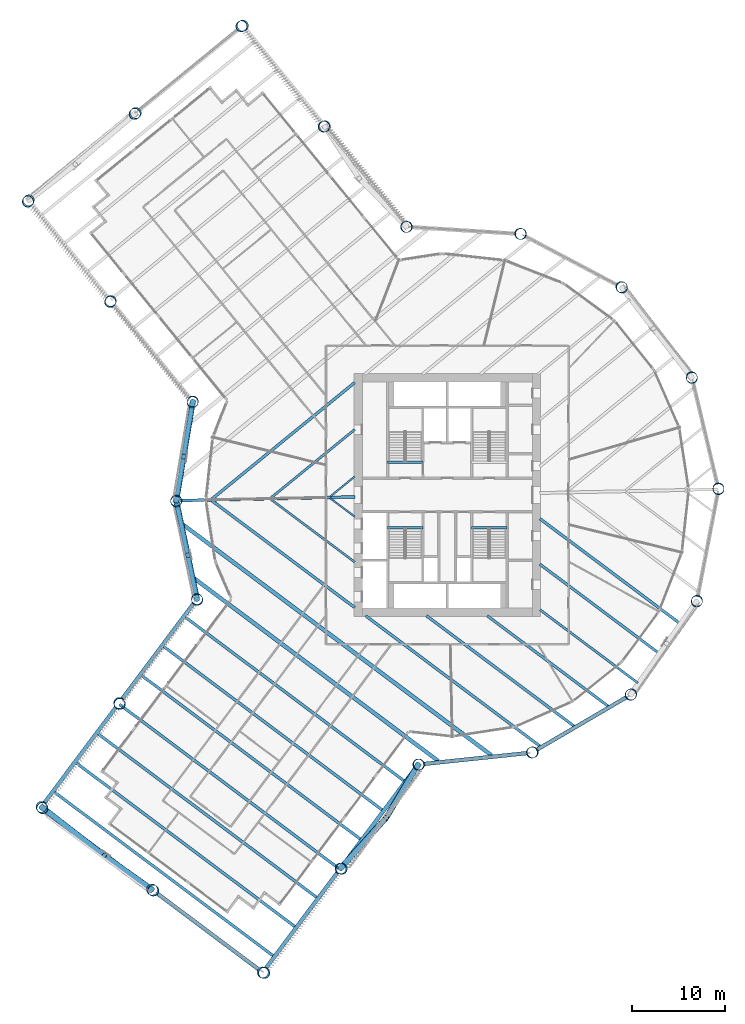
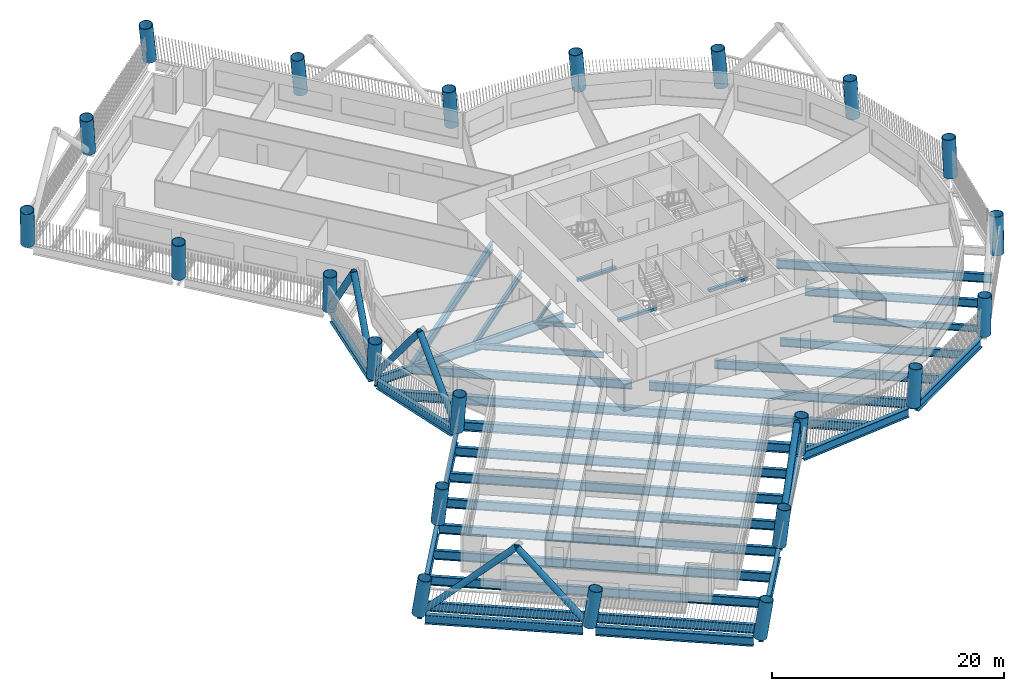
# One storey, part 1 of 22: 35 beams, 22 columns, 8 members.
"""IFC4 building model written with IfcOpenShell, lengths in metres."""

from ifc_helpers import new_model, si_unit, direction, frame, origin, origin_2d, place, context, subcontext, project, spatial, rectangle, hollow_circle, i_section, extrude, material, material_profile, profile_set, type_object, element, save


model = new_model("IFC4")

# Units and contexts
model_context = context("Model", 3, precision=1e-05, world=origin(), true_north=direction((0.0, 1.0)))
body_context = subcontext(model_context, "Body", "Model", "MODEL_VIEW")
ifc_project = project(units=[si_unit("LENGTHUNIT", "METRE"), si_unit("AREAUNIT", "SQUARE_METRE"), si_unit("VOLUMEUNIT", "CUBIC_METRE"), si_unit("PLANEANGLEUNIT", "RADIAN"), si_unit("MASSUNIT", "GRAM", prefix="KILO")], contexts=[model_context])

# Site, building, storey
site_placement = place(None, origin())
site = spatial("IfcSite", under=ifc_project, at=site_placement, CompositionType="ELEMENT")
building_placement = place(site_placement, origin())
building = spatial("IfcBuilding", under=site, at=building_placement, Name="Tarsis Ring Headquarters", CompositionType="ELEMENT")
storey_placement = place(building_placement, frame((0.0, 0.0, 40.0)))
storey = spatial("IfcBuildingStorey", under=building, at=storey_placement, Name="L07", CompositionType="ELEMENT", Elevation=40.0)

# Columns
ifc_material_1 = material(Name="Structural steel S460", Category="steel")
ifc_material_profile_1 = material_profile(ifc_material_1, hollow_circle(Radius=0.609619140625, WallThickness=0.050048828125, at=origin_2d()), Name="CHS 1219x50")
ifc_profile_set_1 = profile_set([ifc_material_profile_1], Name="Structural steel S460")
column_type = type_object("IfcColumnType", Name="XC Exo column CHS 1219x50", PredefinedType="COLUMN", material=ifc_profile_set_1)
for number, where, z_axis, x_axis, name in (
    (1, (-29.042236328125, -0.609375, 0.011962890625), (0.002066203522, -0.077701774889, 0.996974505683), (0.999646634556, 0.026582061999, 0.0), "Exo column XC1 F1"),
    (2, (-26.823486328125, -11.14990234375, 0.011962890625), (0.030241519732, -0.071690559199, 0.996968361688), (0.921377669299, 0.38866848408, 0.0), "Exo column XC1 AK"),
):
    element("IfcColumn", number, at=place(storey_placement, frame(where, z_axis=z_axis, x_axis=x_axis)), inside=storey, type_object=column_type, Name=name, PredefinedType="COLUMN", context=body_context, shape_type="SweptSolid", body=[
        extrude(hollow_circle(Radius=0.609619140625, WallThickness=0.050048828125, at=origin_2d()), origin(), (0.0, 0.0, 1.0), 3.899169921875),
    ])
column_1_placement = place(storey_placement, frame((-35.150390625, -22.28271484375, 0.016845703125), z_axis=(0.059933836071, -0.093494284424, 0.993814245256), x_axis=(0.841872583111, 0.539676341714, 0.0)))
element("IfcColumn", 3, at=column_1_placement, inside=storey, type_object=column_type, Name="Exo column XC1 AI1", PredefinedType="COLUMN", context=body_context, shape_type="SweptSolid", body=[
    extrude(hollow_circle(Radius=0.609619140625, WallThickness=0.050048828125, at=origin_2d()), origin(), (0.0, 0.0, 1.0), 3.906494140625),
])
column_2_placement = place(storey_placement, frame((-43.477294921875, -33.41552734375, 0.021728515625), z_axis=(0.089327904942, -0.115054839908, 0.989334579004), x_axis=(0.789881559779, 0.613259424323, 0.0)))
element("IfcColumn", 4, at=column_2_placement, inside=storey, type_object=column_type, Name="Exo column XC1 AT1", PredefinedType="COLUMN", context=body_context, shape_type="SweptSolid", body=[
    extrude(hollow_circle(Radius=0.609619140625, WallThickness=0.050048828125, at=origin_2d()), origin(), (0.0, 0.0, 1.0), 3.919189453125),
])
column_3_placement = place(storey_placement, frame((-31.6259765625, -42.2802734375, 0.02099609375), z_axis=(0.11281585751, -0.083521132079, 0.99009939036), x_axis=(0.595015145227, 0.80371448721, 0.0)))
element("IfcColumn", 5, at=column_3_placement, inside=storey, type_object=column_type, Name="Exo column XC1 AT2", PredefinedType="COLUMN", context=body_context, shape_type="SweptSolid", body=[
    extrude(hollow_circle(Radius=0.609619140625, WallThickness=0.050048828125, at=origin_2d()), origin(), (0.0, 0.0, 1.0), 3.9169921875),
])
column_4_placement = place(storey_placement, frame((-19.774658203125, -51.145263671875, 0.021728515625), z_axis=(0.136110160849, -0.051827759188, 0.989337105082), x_axis=(0.355853036455, 0.934541928672, 0.0)))
element("IfcColumn", 6, at=column_4_placement, inside=storey, type_object=column_type, Name="Exo column XC1 AT3", PredefinedType="COLUMN", context=body_context, shape_type="SweptSolid", body=[
    extrude(hollow_circle(Radius=0.609619140625, WallThickness=0.050048828125, at=origin_2d()), origin(), (0.0, 0.0, 1.0), 3.919189453125),
])
column_5_placement = place(storey_placement, frame((-11.447998046875, -40.0126953125, 0.016845703125), z_axis=(0.106930916224, -0.029998153003, 0.993813810516), x_axis=(0.270109965053, 0.962829479596, 0.0)))
element("IfcColumn", 7, at=column_5_placement, inside=storey, type_object=column_type, Name="Exo column XC1 AO1", PredefinedType="COLUMN", context=body_context, shape_type="SweptSolid", body=[
    extrude(hollow_circle(Radius=0.609619140625, WallThickness=0.050048828125, at=origin_2d()), origin(), (0.0, 0.0, 1.0), 3.906494140625),
])
for number, where, z_axis, x_axis, name in (
    (8, (-3.12109375, -28.88037109375, 0.011962890625), (0.077326073632, -0.007951750082, 0.996974146108), (0.102294556562, 0.99475415239, 0.0), "Exo column XC1 AJ"),
    (9, (9.060546875, -27.599365234375, 0.011962890625), (0.073756951523, 0.024669133192, 0.996971085824), (-0.317193674158, 0.948360782126, 0.0), "Exo column XC1 R1"),
    (10, (19.631103515625, -21.4111328125, 0.011962890625), (0.057039618132, 0.052844607797, 0.996972381458), (-0.67961674612, 0.733567364591, 0.0), "Exo column XC1 R2"),
    (11, (26.71142578125, -11.415771484375, 0.011962890625), (0.030178964974, 0.071690694804, 0.996970247476), (-0.92166567626, 0.387985027037, 0.0), "Exo column XC1 R3"),
    (12, (29.042236328125, 0.609375, 0.011962890625), (-0.002066203522, 0.077701774889, 0.996974505683), (-0.999646634556, -0.026582061999, 0.0), "Exo column XC1 R4"),
    (13, (26.208984375, 12.52587890625, 0.011962890625), (-0.033873120044, 0.070000273953, 0.996971701396), (-0.900149068088, -0.43558197302, 0.0), "Exo column XC1 R5"),
    (14, (18.7158203125, 22.215576171875, 0.011962890625), (-0.059669562714, 0.049776812547, 0.996976334834), (-0.640580590762, -0.767890947165, 0.0), "Exo column XC1 R6"),
    (15, (7.89501953125, 27.955078125, 0.011962890625), (-0.074946660571, 0.020724598704, 0.996972160633), (-0.266522396144, -0.963828725632, 0.0), "Exo column XC1 R7"),
    (16, (-4.32958984375, 28.72412109375, 0.011962890625), (-0.076825019528, -0.012021518948, 0.996972115687), (0.154597941149, -0.987977467654, 0.0), "Exo column XC1 BJ"),
):
    element("IfcColumn", number, at=place(storey_placement, frame(where, z_axis=z_axis, x_axis=x_axis)), inside=storey, type_object=column_type, Name=name, PredefinedType="COLUMN", context=body_context, shape_type="SweptSolid", body=[
        extrude(hollow_circle(Radius=0.609619140625, WallThickness=0.050048828125, at=origin_2d()), origin(), (0.0, 0.0, 1.0), 3.899169921875),
    ])
column_6_placement = place(storey_placement, frame((-13.1171875, 39.4970703125, 0.016845703125), z_axis=(-0.105181367201, -0.035560426582, 0.993817053614), x_axis=(0.320277602361, -0.947323734225, 0.0)))
element("IfcColumn", 17, at=column_6_placement, inside=storey, type_object=column_type, Name="Exo column XC1 BO1", PredefinedType="COLUMN", context=body_context, shape_type="SweptSolid", body=[
    extrude(hollow_circle(Radius=0.609619140625, WallThickness=0.050048828125, at=origin_2d()), origin(), (0.0, 0.0, 1.0), 3.906494140625),
])
column_7_placement = place(storey_placement, frame((-21.905029296875, 50.269775390625, 0.021728515625), z_axis=(-0.133183005798, -0.058867137736, 0.989341673569), x_axis=(0.40427205401, -0.914638784628, 0.0)))
element("IfcColumn", 18, at=column_7_placement, inside=storey, type_object=column_type, Name="Exo column XC1 BT3", PredefinedType="COLUMN", context=body_context, shape_type="SweptSolid", body=[
    extrude(hollow_circle(Radius=0.609619140625, WallThickness=0.050048828125, at=origin_2d()), origin(), (0.0, 0.0, 1.0), 3.919189453125),
])
column_8_placement = place(storey_placement, frame((-33.37353515625, 40.915283203125, 0.02099609375), z_axis=(-0.108266044824, -0.089317928747, 0.990101394375), x_axis=(0.636376348796, -0.771378728442, 0.0)))
element("IfcColumn", 19, at=column_8_placement, inside=storey, type_object=column_type, Name="Exo column XC1 BT2", PredefinedType="COLUMN", context=body_context, shape_type="SweptSolid", body=[
    extrude(hollow_circle(Radius=0.609619140625, WallThickness=0.050048828125, at=origin_2d()), origin(), (0.0, 0.0, 1.0), 3.9169921875),
])
column_9_placement = place(storey_placement, frame((-44.84228515625, 31.560302734375, 0.021728515625), z_axis=(-0.083161396351, -0.11954061393, 0.989340297258), x_axis=(0.820896482749, -0.57107702161, 0.0)))
element("IfcColumn", 20, at=column_9_placement, inside=storey, type_object=column_type, Name="Exo column XC1 BT1", PredefinedType="COLUMN", context=body_context, shape_type="SweptSolid", body=[
    extrude(hollow_circle(Radius=0.609619140625, WallThickness=0.050048828125, at=origin_2d()), origin(), (0.0, 0.0, 1.0), 3.919189453125),
])
column_10_placement = place(storey_placement, frame((-36.0546875, 20.787841796875, 0.016845703125), z_axis=(-0.054934261871, -0.096494312092, 0.993816418966), x_axis=(0.869038670493, -0.494744165391, 0.0)))
element("IfcColumn", 21, at=column_10_placement, inside=storey, type_object=column_type, Name="Exo column XC1 BI1", PredefinedType="COLUMN", context=body_context, shape_type="SweptSolid", body=[
    extrude(hollow_circle(Radius=0.609619140625, WallThickness=0.050048828125, at=origin_2d()), origin(), (0.0, 0.0, 1.0), 3.906494140625),
])
column_11_placement = place(storey_placement, frame((-27.267333984375, 10.01513671875, 0.011962890625), z_axis=(-0.026422301257, -0.073130919119, 0.996972281794), x_axis=(0.94049672401, -0.339802754736, 0.0)))
element("IfcColumn", 22, at=column_11_placement, inside=storey, type_object=column_type, Name="Exo column XC1 BK", PredefinedType="COLUMN", context=body_context, shape_type="SweptSolid", body=[
    extrude(hollow_circle(Radius=0.609619140625, WallThickness=0.050048828125, at=origin_2d()), origin(), (0.0, 0.0, 1.0), 3.899169921875),
])

# Beams
ifc_material_2 = material(Name="Structural steel S355", Category="steel")
ifc_material_profile_2 = material_profile(ifc_material_2, i_section(OverallWidth=0.177734375, OverallDepth=0.406494140625, WebThickness=0.0078125, FlangeThickness=0.0126953125, at=origin_2d()), Name="W16x40")
ifc_profile_set_2 = profile_set([ifc_material_profile_2], Name="Structural steel S355")
beam_type_1 = type_object("IfcBeamType", Name="FB Floor beam W16x40", PredefinedType="JOIST", material=ifc_profile_set_2)
beam_1_placement = place(storey_placement, frame((-12.545166015625, -0.356201171875, -0.36328125), z_axis=(0.800741077711, -0.599010622999, 0.0), x_axis=(0.599010622999, 0.800741077711, 0.0)))
element("IfcBeam", 23, at=beam_1_placement, inside=storey, type_object=beam_type_1, Name="Floor beam FB1", PredefinedType="JOIST", context=body_context, shape_type="SweptSolid", body=[
    extrude(i_section(OverallWidth=0.177734375, OverallDepth=0.406494140625, WebThickness=0.0078125, FlangeThickness=0.0126953125, at=origin_2d()), origin(), (0.0, 0.0, 1.0), 3.278564453125),
])
beam_2_placement = place(storey_placement, frame((-9.922607421875, 1.97265625, -0.36328125), z_axis=(-0.77494486632, -0.632028839662, 0.0), x_axis=(0.632028839662, -0.77494486632, 0.0)))
element("IfcBeam", 24, at=beam_2_placement, inside=storey, type_object=beam_type_1, Name="Floor beam FB1", PredefinedType="JOIST", context=body_context, shape_type="SweptSolid", body=[
    extrude(i_section(OverallWidth=0.177734375, OverallDepth=0.406494140625, WebThickness=0.0078125, FlangeThickness=0.0126953125, at=origin_2d()), origin(), (0.0, 0.0, 1.0), 3.38916015625),
])
ifc_material_profile_3 = material_profile(ifc_material_2, i_section(OverallWidth=0.228271484375, OverallDepth=0.607177734375, WebThickness=0.01123046875, FlangeThickness=0.017333984375, at=origin_2d()), Name="W24x76")
ifc_profile_set_3 = profile_set([ifc_material_profile_3], Name="Structural steel S355")
beam_type_2 = type_object("IfcBeamType", Name="FB Floor beam W24x76", PredefinedType="JOIST", material=ifc_profile_set_3)
beam_3_placement = place(storey_placement, frame((-18.87841796875, -0.48876953125, -0.463623046875), z_axis=(0.800727384833, -0.599028926829, 0.0), x_axis=(0.599028926829, 0.800727384833, 0.0)))
element("IfcBeam", 25, at=beam_3_placement, inside=storey, type_object=beam_type_2, Name="Floor beam FB4", PredefinedType="JOIST", context=body_context, shape_type="SweptSolid", body=[
    extrude(i_section(OverallWidth=0.228271484375, OverallDepth=0.607177734375, WebThickness=0.01123046875, FlangeThickness=0.017333984375, at=origin_2d()), origin(), (0.0, 0.0, 1.0), 11.18798828125),
])
ifc_material_profile_4 = material_profile(ifc_material_2, i_section(OverallWidth=0.2529296875, OverallDepth=0.67822265625, WebThickness=0.01171875, FlangeThickness=0.016357421875, at=origin_2d()), Name="W27x84")
ifc_profile_set_4 = profile_set([ifc_material_profile_4], Name="Structural steel S355")
beam_type_3 = type_object("IfcBeamType", Name="FB Floor beam W27x84", PredefinedType="JOIST", material=ifc_profile_set_4)
beam_4_placement = place(storey_placement, frame((9.919921875, -12.29150390625, -0.4990234375), z_axis=(0.800729141444, -0.599026578745, 0.0), x_axis=(0.599026578745, 0.800729141444, 0.0)))
element("IfcBeam", 26, at=beam_4_placement, inside=storey, type_object=beam_type_3, Name="Floor beam FB5", PredefinedType="JOIST", context=body_context, shape_type="SweptSolid", body=[
    extrude(i_section(OverallWidth=0.2529296875, OverallDepth=0.67822265625, WebThickness=0.01171875, FlangeThickness=0.016357421875, at=origin_2d()), origin(), (0.0, 0.0, 1.0), 13.088134765625),
])
beam_5_placement = place(storey_placement, frame((-9.922607421875, 7.00537109375, -0.4990234375), z_axis=(-0.774944220276, -0.63202963179, 0.0), x_axis=(0.63202963179, -0.774944220276, 0.0)))
element("IfcBeam", 27, at=beam_5_placement, inside=storey, type_object=beam_type_3, Name="Floor beam FB5", PredefinedType="JOIST", context=body_context, shape_type="SweptSolid", body=[
    extrude(i_section(OverallWidth=0.2529296875, OverallDepth=0.67822265625, WebThickness=0.01171875, FlangeThickness=0.016357421875, at=origin_2d()), origin(), (0.0, 0.0, 1.0), 11.561767578125),
])
ifc_material_profile_5 = material_profile(ifc_material_2, i_section(OverallWidth=0.2919921875, OverallDepth=0.835693359375, WebThickness=0.013916015625, FlangeThickness=0.018798828125, at=origin_2d()), Name="W33x118")
ifc_profile_set_5 = profile_set([ifc_material_profile_5], Name="Structural steel S355")
beam_type_4 = type_object("IfcBeamType", Name="FB Floor beam W33x118", PredefinedType="JOIST", material=ifc_profile_set_5)
beam_6_placement = place(storey_placement, frame((9.919921875, -7.421142578125, -0.577880859375), z_axis=(0.800730705949, -0.599024487438, 0.0), x_axis=(0.599024487438, 0.800730705949, 0.0)))
element("IfcBeam", 28, at=beam_6_placement, inside=storey, type_object=beam_type_4, Name="Floor beam FB7", PredefinedType="JOIST", context=body_context, shape_type="SweptSolid", body=[
    extrude(i_section(OverallWidth=0.2919921875, OverallDepth=0.835693359375, WebThickness=0.013916015625, FlangeThickness=0.018798828125, at=origin_2d()), origin(), (0.0, 0.0, 1.0), 15.904296875),
])
beam_7_placement = place(storey_placement, frame((4.276123046875, -12.940185546875, -0.577880859375), z_axis=(0.800736259482, -0.599017063823, 0.0), x_axis=(0.599017063823, 0.800736259482, 0.0)))
element("IfcBeam", 29, at=beam_7_placement, inside=storey, type_object=beam_type_4, Name="Floor beam FB7", PredefinedType="JOIST", context=body_context, shape_type="SweptSolid", body=[
    extrude(i_section(OverallWidth=0.2919921875, OverallDepth=0.835693359375, WebThickness=0.013916015625, FlangeThickness=0.018798828125, at=origin_2d()), origin(), (0.0, 0.0, 1.0), 16.2216796875),
])
ifc_material_profile_6 = material_profile(ifc_material_2, i_section(OverallWidth=0.3046875, OverallDepth=0.904296875, WebThickness=0.01513671875, FlangeThickness=0.02001953125, at=origin_2d()), Name="W36x135")
ifc_profile_set_6 = profile_set([ifc_material_profile_6], Name="Structural steel S355")
beam_type_5 = type_object("IfcBeamType", Name="FB Floor beam W36x135", PredefinedType="JOIST", material=ifc_profile_set_6)
beam_8_placement = place(storey_placement, frame((9.919921875, -2.550537109375, -0.612060546875), z_axis=(0.800731799727, -0.599023025356, 0.0), x_axis=(0.599023025356, 0.800731799727, 0.0)))
element("IfcBeam", 30, at=beam_8_placement, inside=storey, type_object=beam_type_5, Name="Floor beam FB8", PredefinedType="JOIST", context=body_context, shape_type="SweptSolid", body=[
    extrude(i_section(OverallWidth=0.3046875, OverallDepth=0.904296875, WebThickness=0.01513671875, FlangeThickness=0.02001953125, at=origin_2d()), origin(), (0.0, 0.0, 1.0), 18.720703125),
])
beam_9_placement = place(storey_placement, frame((-2.234375, -12.940185546875, -0.612060546875), z_axis=(0.800730684737, -0.599024515793, 0.0), x_axis=(0.599024515793, 0.800730684737, 0.0)))
element("IfcBeam", 31, at=beam_9_placement, inside=storey, type_object=beam_type_5, Name="Floor beam FB8", PredefinedType="JOIST", context=body_context, shape_type="SweptSolid", body=[
    extrude(i_section(OverallWidth=0.3046875, OverallDepth=0.904296875, WebThickness=0.01513671875, FlangeThickness=0.02001953125, at=origin_2d()), origin(), (0.0, 0.0, 1.0), 19.790771484375),
])
beam_10_placement = place(storey_placement, frame((-25.211669921875, -0.62158203125, -0.612060546875), z_axis=(0.800737298038, -0.599015675531, 0.0), x_axis=(0.599015675531, 0.800737298038, 0.0)))
element("IfcBeam", 32, at=beam_10_placement, inside=storey, type_object=beam_type_5, Name="Floor beam FB8", PredefinedType="JOIST", context=body_context, shape_type="SweptSolid", body=[
    extrude(i_section(OverallWidth=0.3046875, OverallDepth=0.904296875, WebThickness=0.01513671875, FlangeThickness=0.02001953125, at=origin_2d()), origin(), (0.0, 0.0, 1.0), 19.09716796875),
])
beam_11_placement = place(storey_placement, frame((-9.922607421875, 12.037841796875, -0.612060546875), z_axis=(-0.774944109322, -0.632029767833, 0.0), x_axis=(0.632029767833, -0.774944109322, 0.0)))
element("IfcBeam", 33, at=beam_11_placement, inside=storey, type_object=beam_type_5, Name="Floor beam FB8", PredefinedType="JOIST", context=body_context, shape_type="SweptSolid", body=[
    extrude(i_section(OverallWidth=0.3046875, OverallDepth=0.904296875, WebThickness=0.01513671875, FlangeThickness=0.02001953125, at=origin_2d()), origin(), (0.0, 0.0, 1.0), 19.734375),
])
ifc_material_profile_7 = material_profile(ifc_material_2, i_section(OverallWidth=0.3046875, OverallDepth=0.91943359375, WebThickness=0.017333984375, FlangeThickness=0.02783203125, at=origin_2d()), Name="W36x170")
ifc_profile_set_7 = profile_set([ifc_material_profile_7], Name="Structural steel S355")
beam_type_6 = type_object("IfcBeamType", Name="FB Floor beam W36x170", PredefinedType="JOIST", material=ifc_profile_set_7)
beam_12_placement = place(storey_placement, frame((-8.744873046875, -12.940185546875, -0.61962890625), z_axis=(0.800731826506, -0.599022989559, 0.0), x_axis=(0.599022989559, 0.800731826506, 0.0)))
element("IfcBeam", 34, at=beam_12_placement, inside=storey, type_object=beam_type_6, Name="Floor beam FB9", PredefinedType="JOIST", context=body_context, shape_type="SweptSolid", body=[
    extrude(i_section(OverallWidth=0.3046875, OverallDepth=0.91943359375, WebThickness=0.017333984375, FlangeThickness=0.02783203125, at=origin_2d()), origin(), (0.0, 0.0, 1.0), 23.35986328125),
])
ifc_material_profile_8 = material_profile(ifc_material_2, i_section(OverallWidth=0.309814453125, OverallDepth=0.949951171875, WebThickness=0.0244140625, FlangeThickness=0.0439453125, at=origin_2d()), Name="W36x256")
ifc_profile_set_8 = profile_set([ifc_material_profile_8], Name="Structural steel S355")
beam_type_7 = type_object("IfcBeamType", Name="FB Floor beam W36x256", PredefinedType="JOIST", material=ifc_profile_set_8)
for number, where, z_axis, x_axis, name in (
    (35, (-28.114501953125, -13.0615234375, -0.635009765625), (0.800730433123, -0.599024852131, 0.0), (0.599024852131, 0.800730433123, 0.0), "Floor beam FB11"),
    (36, (-30.45068359375, -16.184326171875, -0.635009765625), (0.800730433123, -0.599024852131, 0.0), (0.599024852131, 0.800730433123, 0.0), "Floor beam FB11"),
):
    element("IfcBeam", number, at=place(storey_placement, frame(where, z_axis=z_axis, x_axis=x_axis)), inside=storey, type_object=beam_type_7, Name=name, PredefinedType="JOIST", context=body_context, shape_type="SweptSolid", body=[
        extrude(i_section(OverallWidth=0.309814453125, OverallDepth=0.949951171875, WebThickness=0.0244140625, FlangeThickness=0.0439453125, at=origin_2d()), origin(), (0.0, 0.0, 1.0), 29.3759765625),
    ])
for number, where, z_axis, x_axis, name in (
    (37, (-32.786865234375, -19.307373046875, -0.635009765625), (0.800734419511, -0.599019523397, 0.0), (0.599019523397, 0.800734419511, 0.0), "Floor beam FB11"),
    (38, (-35.123046875, -22.43017578125, -0.635009765625), (0.800734419511, -0.599019523397, 0.0), (0.599019523397, 0.800734419511, 0.0), "Floor beam FB11"),
    (39, (-37.459228515625, -25.552978515625, -0.635009765625), (0.800734419511, -0.599019523397, 0.0), (0.599019523397, 0.800734419511, 0.0), "Floor beam FB11"),
):
    element("IfcBeam", number, at=place(storey_placement, frame(where, z_axis=z_axis, x_axis=x_axis)), inside=storey, type_object=beam_type_7, Name=name, PredefinedType="JOIST", context=body_context, shape_type="SweptSolid", body=[
        extrude(i_section(OverallWidth=0.309814453125, OverallDepth=0.949951171875, WebThickness=0.0244140625, FlangeThickness=0.0439453125, at=origin_2d()), origin(), (0.0, 0.0, 1.0), 29.375732421875),
    ])
for number, where, z_axis, x_axis, name in (
    (40, (-39.79541015625, -28.67578125, -0.635009765625), (0.800730433123, -0.599024852131, 0.0), (0.599024852131, 0.800730433123, 0.0), "Floor beam FB11"),
    (41, (-42.131591796875, -31.798583984375, -0.635009765625), (0.800730433123, -0.599024852131, 0.0), (0.599024852131, 0.800730433123, 0.0), "Floor beam FB11"),
):
    element("IfcBeam", number, at=place(storey_placement, frame(where, z_axis=z_axis, x_axis=x_axis)), inside=storey, type_object=beam_type_7, Name=name, PredefinedType="JOIST", context=body_context, shape_type="SweptSolid", body=[
        extrude(i_section(OverallWidth=0.309814453125, OverallDepth=0.949951171875, WebThickness=0.0244140625, FlangeThickness=0.0439453125, at=origin_2d()), origin(), (0.0, 0.0, 1.0), 29.3759765625),
    ])
beam_type_8 = type_object("IfcBeamType", Name="FB Floor beam W36x256 spine", PredefinedType="BEAM", material=ifc_profile_set_8)
beam_13_placement = place(storey_placement, frame((-9.89990234375, -0.207275390625, -0.635009765625), z_axis=(-0.99978053375, -0.020949566438, 0.0), x_axis=(0.020949566438, -0.99978053375, 0.0)))
element("IfcBeam", 42, at=beam_13_placement, inside=storey, type_object=beam_type_8, Name="Floor beam SB11", PredefinedType="BEAM", context=body_context, shape_type="SweptSolid", body=[
    extrude(i_section(OverallWidth=0.309814453125, OverallDepth=0.949951171875, WebThickness=0.0244140625, FlangeThickness=0.0439453125, at=origin_2d()), origin(), (0.0, 0.0, 1.0), 19.030517578125),
])
ifc_material_profile_9 = material_profile(ifc_material_2, i_section(OverallWidth=0.42431640625, OverallDepth=0.947509765625, WebThickness=0.02392578125, FlangeThickness=0.042724609375, at=origin_2d()), Name="W36x302")
ifc_profile_set_9 = profile_set([ifc_material_profile_9], Name="Structural steel S355")
beam_type_9 = type_object("IfcBeamType", Name="FB Floor beam W36x302", PredefinedType="JOIST", material=ifc_profile_set_9)
beam_14_placement = place(storey_placement, frame((-28.36083984375, -3.135986328125, -0.6337890625), z_axis=(0.800729828386, -0.599025660496, 0.0), x_axis=(0.599025660496, 0.800729828386, 0.0)))
element("IfcBeam", 43, at=beam_14_placement, inside=storey, type_object=beam_type_9, Name="Floor beam FB12", PredefinedType="JOIST", context=body_context, shape_type="SweptSolid", body=[
    extrude(i_section(OverallWidth=0.42431640625, OverallDepth=0.947509765625, WebThickness=0.02392578125, FlangeThickness=0.042724609375, at=origin_2d()), origin(), (0.0, 0.0, 1.0), 41.35302734375),
])
beam_15_placement = place(storey_placement, frame((-27.144287109375, -8.916748046875, -0.6337890625), z_axis=(0.800733061987, -0.599021338051, 0.0), x_axis=(0.599021338051, 0.800733061987, 0.0)))
element("IfcBeam", 44, at=beam_15_placement, inside=storey, type_object=beam_type_9, Name="Floor beam FB12", PredefinedType="JOIST", context=body_context, shape_type="SweptSolid", body=[
    extrude(i_section(OverallWidth=0.42431640625, OverallDepth=0.947509765625, WebThickness=0.02392578125, FlangeThickness=0.042724609375, at=origin_2d()), origin(), (0.0, 0.0, 1.0), 32.704833984375),
])
ifc_material_3 = material(Name="Concrete C40/50", Category="concrete")
ifc_material_profile_10 = material_profile(ifc_material_3, rectangle(XDim=0.300048828125, YDim=0.300048828125, at=origin_2d()), Name="Stair head beam 300x300 C40/50")
ifc_profile_set_10 = profile_set([ifc_material_profile_10], Name="Concrete C40/50")
beam_type_10 = type_object("IfcBeamType", Name="Stair head beam 300x300 C40/50", PredefinedType="BEAM", material=ifc_profile_set_10)
for number, where, z_axis, x_axis, name in (
    (45, (-6.39990234375, 3.510009765625, -0.31005859375), (1.0, 0.0, 0.0), (0.0, 1.0, 0.0), "Stair head beam L07 Firefighting stair"),
    (46, (-6.39990234375, -3.510009765625, -0.31005859375), (1.0, 0.0, 0.0), (0.0, 1.0, 0.0), "Stair head beam L07 Exit stair C"),
    (47, (2.60009765625, -3.510009765625, -0.31005859375), (1.0, 0.0, 0.0), (0.0, 1.0, 0.0), "Stair head beam L07 Exit stair D"),
):
    element("IfcBeam", number, at=place(storey_placement, frame(where, z_axis=z_axis, x_axis=x_axis)), inside=storey, type_object=beam_type_10, Name=name, PredefinedType="BEAM", context=body_context, shape_type="SweptSolid", body=[
        extrude(rectangle(XDim=0.300048828125, YDim=0.300048828125, at=origin_2d()), origin(), (0.0, 0.0, 1.0), 3.7998046875),
    ])

# Members
ifc_material_profile_11 = material_profile(ifc_material_2, hollow_circle(Radius=0.3046875, WallThickness=0.02490234375, at=origin_2d()), Name="CHS 610x25")
ifc_profile_set_11 = profile_set([ifc_material_profile_11], Name="Structural steel S355")
member_type = type_object("IfcMemberType", Name="XD X brace CHS 610x25", PredefinedType="BRACE", material=ifc_profile_set_11)
member_1_placement = place(storey_placement, frame((-29.042236328125, -0.6083984375, 0.0), z_axis=(0.125984556616, -0.595477567224, 0.79343201248), x_axis=(0.978343665492, 0.206987130496, 0.0)))
element("IfcMember", 48, at=member_1_placement, inside=storey, type_object=member_type, Name="X brace XD1", PredefinedType="BRACE", context=body_context, shape_type="SweptSolid", body=[
    extrude(hollow_circle(Radius=0.3046875, WallThickness=0.02490234375, at=origin_2d()), origin(), (0.0, 0.0, 1.0), 9.830810546875),
])
member_2_placement = place(storey_placement, frame((-26.82373046875, -11.149169921875, 0.0), z_axis=(-0.107073293797, 0.512079227957, 0.852238331719), x_axis=(-0.97883126489, -0.20466889083, 0.0)))
element("IfcMember", 49, at=member_2_placement, inside=storey, type_object=member_type, Name="X brace XD1", PredefinedType="BRACE", context=body_context, shape_type="SweptSolid", body=[
    extrude(hollow_circle(Radius=0.3046875, WallThickness=0.02490234375, at=origin_2d()), origin(), (0.0, 0.0, 1.0), 9.15234375),
])
member_3_placement = place(storey_placement, frame((-43.479248046875, -33.4130859375, 0.0), z_axis=(0.582724640439, -0.451441861476, 0.675745691168), x_axis=(0.612427797121, 0.790526529165, 0.0)))
element("IfcMember", 50, at=member_3_placement, inside=storey, type_object=member_type, Name="X brace XD1", PredefinedType="BRACE", context=body_context, shape_type="SweptSolid", body=[
    extrude(hollow_circle(Radius=0.3046875, WallThickness=0.02490234375, at=origin_2d()), origin(), (0.0, 0.0, 1.0), 11.54296875),
])
member_4_placement = place(storey_placement, frame((-31.62841796875, -42.278564453125, 0.0), z_axis=(-0.511284086545, 0.364621795688, 0.778228455504), x_axis=(-0.580625275232, -0.814170921712, 0.0)))
element("IfcMember", 51, at=member_4_placement, inside=storey, type_object=member_type, Name="X brace XD1", PredefinedType="BRACE", context=body_context, shape_type="SweptSolid", body=[
    extrude(hollow_circle(Radius=0.3046875, WallThickness=0.02490234375, at=origin_2d()), origin(), (0.0, 0.0, 1.0), 10.022705078125),
])
member_5_placement = place(storey_placement, frame((-11.449951171875, -40.01220703125, 0.0), z_axis=(0.457486734517, 0.507470422802, 0.730191521262), x_axis=(-0.742738350331, 0.669581767185, 0.0)))
element("IfcMember", 52, at=member_5_placement, inside=storey, type_object=member_type, Name="X brace XD1", PredefinedType="BRACE", context=body_context, shape_type="SweptSolid", body=[
    extrude(hollow_circle(Radius=0.3046875, WallThickness=0.02490234375, at=origin_2d()), origin(), (0.0, 0.0, 1.0), 10.68212890625),
])
member_6_placement = place(storey_placement, frame((-3.1220703125, -28.880126953125, 0.0), z_axis=(-0.335323270353, -0.55656430136, 0.76012793845), x_axis=(0.856551331811, -0.516061833478, 0.0)))
element("IfcMember", 53, at=member_6_placement, inside=storey, type_object=member_type, Name="X brace XD1", PredefinedType="BRACE", context=body_context, shape_type="SweptSolid", body=[
    extrude(hollow_circle(Radius=0.3046875, WallThickness=0.02490234375, at=origin_2d()), origin(), (0.0, 0.0, 1.0), 10.261474609375),
])
member_7_placement = place(storey_placement, frame((-27.26708984375, 10.01611328125, 0.0), z_axis=(-0.099684753057, -0.600442939563, 0.793430038716), x_axis=(0.986497385486, -0.163777008245, 0.0)))
element("IfcMember", 54, at=member_7_placement, inside=storey, type_object=member_type, Name="X brace XD1", PredefinedType="BRACE", context=body_context, shape_type="SweptSolid", body=[
    extrude(hollow_circle(Radius=0.3046875, WallThickness=0.02490234375, at=origin_2d()), origin(), (0.0, 0.0, 1.0), 9.830810546875),
])
member_8_placement = place(storey_placement, frame((-29.042236328125, -0.6083984375, 0.0), z_axis=(0.08688014289, 0.515892527937, 0.852236317221), x_axis=(-0.986114141112, 0.166068963682, 0.0)))
element("IfcMember", 55, at=member_8_placement, inside=storey, type_object=member_type, Name="X brace XD1", PredefinedType="BRACE", context=body_context, shape_type="SweptSolid", body=[
    extrude(hollow_circle(Radius=0.3046875, WallThickness=0.02490234375, at=origin_2d()), origin(), (0.0, 0.0, 1.0), 9.15234375),
])

# Beams
beam_type_11 = type_object("IfcBeamType", Name="XG Ring girder W36x302", PredefinedType="BEAM", material=ifc_profile_set_9)
beam_16_placement = place(storey_placement, frame((-28.92919921875, -1.145263671875, -0.4736328125), z_axis=(0.205948161288, -0.978562902864, 0.0), x_axis=(0.978562902864, 0.205948161288, 0.0)))
element("IfcBeam", 56, at=beam_16_placement, inside=storey, type_object=beam_type_11, Name="Ring girder XG1", PredefinedType="BEAM", context=body_context, shape_type="SweptSolid", body=[
    extrude(i_section(OverallWidth=0.42431640625, OverallDepth=0.947509765625, WebThickness=0.02392578125, FlangeThickness=0.042724609375, at=origin_2d()), origin(), (0.0, 0.0, 1.0), 9.67431640625),
])
beam_17_placement = place(storey_placement, frame((-27.15234375, -11.58837890625, -0.4736328125), z_axis=(-0.599017264643, -0.800736109252, 0.0), x_axis=(0.800736109252, -0.599017264643, 0.0)))
element("IfcBeam", 57, at=beam_17_placement, inside=storey, type_object=beam_type_11, Name="Ring girder XG1", PredefinedType="BEAM", context=body_context, shape_type="SweptSolid", body=[
    extrude(i_section(OverallWidth=0.42431640625, OverallDepth=0.947509765625, WebThickness=0.02392578125, FlangeThickness=0.042724609375, at=origin_2d()), origin(), (0.0, 0.0, 1.0), 12.804931640625),
])
beam_18_placement = place(storey_placement, frame((-35.480224609375, -22.720458984375, -0.4736328125), z_axis=(-0.599026409867, -0.800729267782, 0.0), x_axis=(0.800729267782, -0.599026409867, 0.0)))
element("IfcBeam", 58, at=beam_18_placement, inside=storey, type_object=beam_type_11, Name="Ring girder XG1", PredefinedType="BEAM", context=body_context, shape_type="SweptSolid", body=[
    extrude(i_section(OverallWidth=0.42431640625, OverallDepth=0.947509765625, WebThickness=0.02392578125, FlangeThickness=0.042724609375, at=origin_2d()), origin(), (0.0, 0.0, 1.0), 12.8046875),
])
for number, where, z_axis, x_axis, name in (
    (59, (-43.0400390625, -33.74169921875, -0.4736328125), (0.800730614694, -0.599024609421, 0.0), (0.599024609421, 0.800730614694, 0.0), "Ring girder XG1"),
    (60, (-31.189208984375, -42.607177734375, -0.4736328125), (0.800730614694, -0.599024609421, 0.0), (0.599024609421, 0.800730614694, 0.0), "Ring girder XG1"),
):
    element("IfcBeam", number, at=place(storey_placement, frame(where, z_axis=z_axis, x_axis=x_axis)), inside=storey, type_object=beam_type_11, Name=name, PredefinedType="BEAM", context=body_context, shape_type="SweptSolid", body=[
        extrude(i_section(OverallWidth=0.42431640625, OverallDepth=0.947509765625, WebThickness=0.02392578125, FlangeThickness=0.042724609375, at=origin_2d()), origin(), (0.0, 0.0, 1.0), 13.70263671875),
    ])
for number, where, z_axis, x_axis, name in (
    (61, (-19.448974609375, -50.704833984375, -0.4736328125), (0.599017264643, 0.800736109252, 0.0), (-0.800736109252, 0.599017264643, 0.0), "Ring girder XG1"),
    (62, (-11.12109375, -39.572998046875, -0.4736328125), (0.599017264643, 0.800736109252, 0.0), (-0.800736109252, 0.599017264643, 0.0), "Ring girder XG1"),
):
    element("IfcBeam", number, at=place(storey_placement, frame(where, z_axis=z_axis, x_axis=x_axis)), inside=storey, type_object=beam_type_11, Name=name, PredefinedType="BEAM", context=body_context, shape_type="SweptSolid", body=[
        extrude(i_section(OverallWidth=0.42431640625, OverallDepth=0.947509765625, WebThickness=0.02392578125, FlangeThickness=0.042724609375, at=origin_2d()), origin(), (0.0, 0.0, 1.0), 12.804931640625),
    ])
beam_19_placement = place(storey_placement, frame((-2.576416015625, -28.822998046875, -0.4736328125), z_axis=(0.994518401254, 0.104561702205, 0.0), x_axis=(-0.104561702205, 0.994518401254, 0.0)))
element("IfcBeam", 63, at=beam_19_placement, inside=storey, type_object=beam_type_11, Name="Ring girder XG1", PredefinedType="BEAM", context=body_context, shape_type="SweptSolid", body=[
    extrude(i_section(OverallWidth=0.42431640625, OverallDepth=0.947509765625, WebThickness=0.02392578125, FlangeThickness=0.042724609375, at=origin_2d()), origin(), (0.0, 0.0, 1.0), 11.1513671875),
])
beam_20_placement = place(storey_placement, frame((9.533203125, -27.322509765625, -0.4736328125), z_axis=(0.863000500948, 0.505203063494, 0.0), x_axis=(-0.505203063494, 0.863000500948, 0.0)))
element("IfcBeam", 64, at=beam_20_placement, inside=storey, type_object=beam_type_11, Name="Ring girder XG1", PredefinedType="BEAM", context=body_context, shape_type="SweptSolid", body=[
    extrude(i_section(OverallWidth=0.42431640625, OverallDepth=0.947509765625, WebThickness=0.02392578125, FlangeThickness=0.042724609375, at=origin_2d()), origin(), (0.0, 0.0, 1.0), 11.151611328125),
])
beam_21_placement = place(storey_placement, frame((-27.357421875, 9.474853515625, -0.4736328125), z_axis=(-0.164791839211, -0.986328368105, 0.0), x_axis=(0.986328368105, -0.164791839211, 0.0)))
element("IfcBeam", 65, at=beam_21_placement, inside=storey, type_object=beam_type_11, Name="Ring girder XG1", PredefinedType="BEAM", context=body_context, shape_type="SweptSolid", body=[
    extrude(i_section(OverallWidth=0.42431640625, OverallDepth=0.947509765625, WebThickness=0.02392578125, FlangeThickness=0.042724609375, at=origin_2d()), origin(), (0.0, 0.0, 1.0), 9.67431640625),
])

save(model, "model.ifc")
